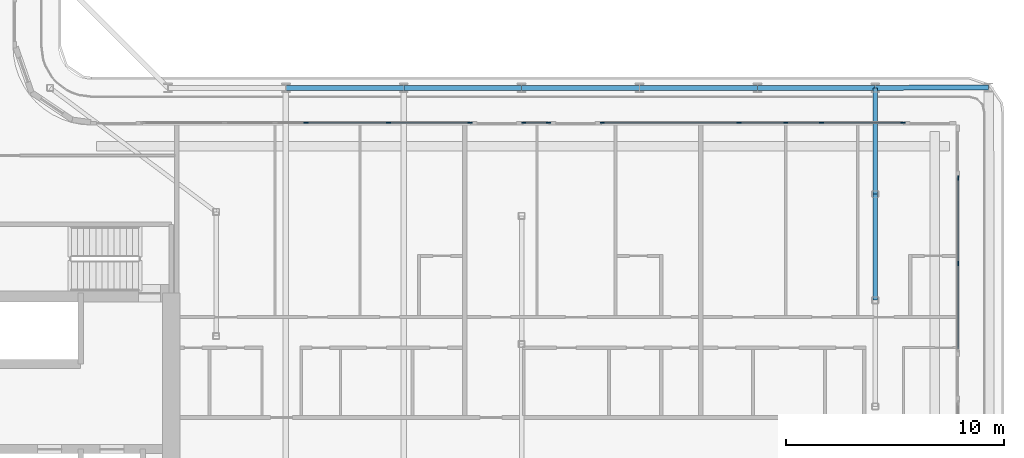
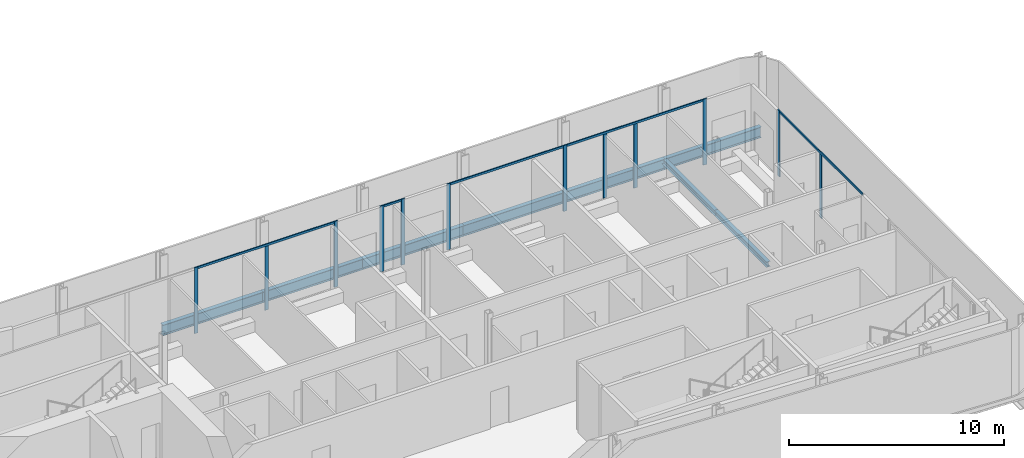
# One storey, part 6 of 24: 17 members, 8 beams, 6 elements without a shape of their own.
"""IFC4 building model written with IfcOpenShell, lengths in metres."""

from ifc_helpers import new_model, si_unit, direction, frame, origin, origin_2d, place, context, subcontext, project, spatial, rectangle, i_section, extrude, material, layer, layer_set, material_profile, profile_set, type_object, element, aggregate, save


model = new_model("IFC4")

# Units and contexts
model_context = context("Model", 3, precision=1e-05, world=origin(), true_north=direction((0.0, 1.0)))
body_context = subcontext(model_context, "Body", "Model", "MODEL_VIEW")
ifc_project = project(units=[si_unit("LENGTHUNIT", "METRE"), si_unit("AREAUNIT", "SQUARE_METRE"), si_unit("VOLUMEUNIT", "CUBIC_METRE"), si_unit("PLANEANGLEUNIT", "RADIAN"), si_unit("MASSUNIT", "GRAM", prefix="KILO")], contexts=[model_context])

# Site, building, storey
site_placement = place(None, origin())
site = spatial("IfcSite", under=ifc_project, at=site_placement, CompositionType="ELEMENT")
building_placement = place(site_placement, origin())
building = spatial("IfcBuilding", under=site, at=building_placement, Name="Kheshtan School and Residences Tower", CompositionType="ELEMENT")
storey_placement = place(building_placement, frame((0.0, 0.0, 160.39990234375)))
storey = spatial("IfcBuildingStorey", under=building, at=storey_placement, Name="L37", CompositionType="ELEMENT", Elevation=160.39990234375)

# Beams
ifc_material_1 = material(Name="Steel ASTM A992 Grade 50", Category="steel")
ifc_material_profile_1 = material_profile(ifc_material_1, i_section(OverallWidth=0.202880859375, OverallDepth=0.302978515625, WebThickness=0.007568359375, FlangeThickness=0.01318359375, FilletRadius=0.009033203125, at=origin_2d()), Name="W310x60")
ifc_profile_set_1 = profile_set([ifc_material_profile_1], Name="Steel ASTM A992 Grade 50")
beam_type_1 = type_object("IfcBeamType", Name="Beam FB1 W310x60 ASTM A992 Grade 50", PredefinedType="BEAM", material=ifc_profile_set_1)
for number, where, z_axis, x_axis, name in (
    (1, (85.39990234375, 45.60009765625, -0.301513671875), (0.0, -1.0, 0.0), (1.0, 0.0, 0.0), "Floor beam C067"),
    (2, (85.39990234375, 40.735107421875, -0.301513671875), (0.0, -1.0, 0.0), (1.0, 0.0, 0.0), "Floor beam IC"),
):
    element("IfcBeam", number, at=place(storey_placement, frame(where, z_axis=z_axis, x_axis=x_axis)), inside=storey, type_object=beam_type_1, Name=name, PredefinedType="BEAM", context=body_context, shape_type="SweptSolid", body=[
        extrude(i_section(OverallWidth=0.202880859375, OverallDepth=0.302978515625, WebThickness=0.007568359375, FlangeThickness=0.01318359375, FilletRadius=0.009033203125, at=origin_2d()), origin(), (0.0, 0.0, 1.0), 4.864990234375),
    ])
ifc_material_profile_2 = material_profile(ifc_material_1, i_section(OverallWidth=0.22802734375, OverallDepth=0.60302734375, WebThickness=0.010498046875, FlangeThickness=0.014892578125, FilletRadius=0.013427734375, at=origin_2d()), Name="W610x101")
ifc_profile_set_2 = profile_set([ifc_material_profile_2], Name="Steel ASTM A992 Grade 50")
beam_type_2 = type_object("IfcBeamType", Name="Beam SP2 W610x101 ASTM A992 Grade 50", PredefinedType="BEAM", material=ifc_profile_set_2)
beam_1_placement = place(storey_placement, frame((58.39990234375, 45.60009765625, -0.451416015625), z_axis=(1.0, 0.0, 0.0), x_axis=(0.0, 1.0, 0.0)))
element("IfcBeam", 3, at=beam_1_placement, inside=storey, type_object=beam_type_2, Name="Spandrel beam C062-C063", PredefinedType="BEAM", context=body_context, shape_type="SweptSolid", body=[
    extrude(i_section(OverallWidth=0.22802734375, OverallDepth=0.60302734375, WebThickness=0.010498046875, FlangeThickness=0.014892578125, FilletRadius=0.013427734375, at=origin_2d()), origin(), (0.0, 0.0, 1.0), 5.400146484375),
])
beam_2_placement = place(storey_placement, frame((63.800048828125, 45.60009765625, -0.451416015625), z_axis=(1.0, 0.0, 0.0), x_axis=(0.0, 1.0, 0.0)))
element("IfcBeam", 4, at=beam_2_placement, inside=storey, type_object=beam_type_2, Name="Spandrel beam C063-C064", PredefinedType="BEAM", context=body_context, shape_type="SweptSolid", body=[
    extrude(i_section(OverallWidth=0.22802734375, OverallDepth=0.60302734375, WebThickness=0.010498046875, FlangeThickness=0.014892578125, FilletRadius=0.013427734375, at=origin_2d()), origin(), (0.0, 0.0, 1.0), 5.39990234375),
])
beam_3_placement = place(storey_placement, frame((69.199951171875, 45.60009765625, -0.451416015625), z_axis=(1.0, 0.0, 0.0), x_axis=(0.0, 1.0, 0.0)))
element("IfcBeam", 5, at=beam_3_placement, inside=storey, type_object=beam_type_2, Name="Spandrel beam C064-C065", PredefinedType="BEAM", context=body_context, shape_type="SweptSolid", body=[
    extrude(i_section(OverallWidth=0.22802734375, OverallDepth=0.60302734375, WebThickness=0.010498046875, FlangeThickness=0.014892578125, FilletRadius=0.013427734375, at=origin_2d()), origin(), (0.0, 0.0, 1.0), 5.400146484375),
])
for number, where, z_axis, x_axis, name in (
    (6, (74.60009765625, 45.60009765625, -0.451416015625), (1.0, 0.0, 0.0), (0.0, 1.0, 0.0), "Spandrel beam C065-C066"),
    (7, (80.0, 45.60009765625, -0.451416015625), (1.0, 0.0, 0.0), (0.0, 1.0, 0.0), "Spandrel beam C066-C067"),
):
    element("IfcBeam", number, at=place(storey_placement, frame(where, z_axis=z_axis, x_axis=x_axis)), inside=storey, type_object=beam_type_2, Name=name, PredefinedType="BEAM", context=body_context, shape_type="SweptSolid", body=[
        extrude(i_section(OverallWidth=0.22802734375, OverallDepth=0.60302734375, WebThickness=0.010498046875, FlangeThickness=0.014892578125, FilletRadius=0.013427734375, at=origin_2d()), origin(), (0.0, 0.0, 1.0), 5.39990234375),
    ])
beam_4_placement = place(storey_placement, frame((85.39990234375, 45.60009765625, -0.451416015625), z_axis=(0.99999185222, 0.00403676771, 0.0), x_axis=(-0.00403676771, 0.99999185222, 0.0)))
element("IfcBeam", 8, at=beam_4_placement, inside=storey, type_object=beam_type_2, Name="Spandrel beam C067-C075", PredefinedType="BEAM", context=body_context, shape_type="SweptSolid", body=[
    extrude(i_section(OverallWidth=0.22802734375, OverallDepth=0.60302734375, WebThickness=0.010498046875, FlangeThickness=0.014892578125, FilletRadius=0.013427734375, at=origin_2d()), origin(), (0.0, 0.0, 1.0), 5.201171875),
])

# Curtain wall, member
ifc_material_2 = material(Name="Clear low-e glass in thermally broken aluminium frame", Category="aluminium")
ifc_layer = layer(ifc_material_2, 0.199951171875)
ifc_layer_set = layer_set([ifc_layer], Name="Curtain wall CW-L")
curtain_wall_type = type_object("IfcCurtainWallType", Name="Curtain wall CW-L", PredefinedType="NOTDEFINED", material=ifc_layer_set)
curtain_wall_1_placement = place(storey_placement, origin())
curtain_wall_1 = element("IfcCurtainWall", 9, at=curtain_wall_1_placement, inside=storey, type_object=curtain_wall_type, Name="Curtain wall CWL12", PredefinedType="NOTDEFINED")
ifc_material_3 = material(Name="Thermally broken aluminium, dark bronze anodised", Category="aluminium")
ifc_material_profile_3 = material_profile(ifc_material_3, rectangle(XDim=0.06005859375, YDim=0.199951171875, at=origin_2d()), Name="CW-L mullion 60x200")
ifc_profile_set_3 = profile_set([ifc_material_profile_3], Name="Thermally broken aluminium, dark bronze anodised")
member_type_1 = type_object("IfcMemberType", Name="CW-L mullion 60x200", PredefinedType="MULLION", material=ifc_profile_set_3)
member_1_placement = place(storey_placement, frame((59.3173828125, 44.0, 0.0), z_axis=(0.0, 0.0, 1.0), x_axis=(0.0, 1.0, 0.0)))
member_1 = element("IfcMember", 10, at=member_1_placement, type_object=member_type_1, Name="CWL12 mullion 4", PredefinedType="MULLION", context=body_context, shape_type="SweptSolid", body=[
    extrude(rectangle(XDim=0.06005859375, YDim=0.199951171875, at=origin_2d()), origin(), (0.0, 0.0, 1.0), 3.75),
])
aggregate(curtain_wall_1, [member_1])

# Curtain wall, members
curtain_wall_2_placement = place(storey_placement, origin())
curtain_wall_2 = element("IfcCurtainWall", 11, at=curtain_wall_2_placement, inside=storey, type_object=curtain_wall_type, Name="Curtain wall CWL12a", PredefinedType="NOTDEFINED")
member_2_placement = place(storey_placement, frame((63.106201171875, 44.0, 0.0), z_axis=(0.0, 0.0, 1.0), x_axis=(0.0, 1.0, 0.0)))
member_2 = element("IfcMember", 12, at=member_2_placement, type_object=member_type_1, Name="CWL12a mullion 2", PredefinedType="MULLION", context=body_context, shape_type="SweptSolid", body=[
    extrude(rectangle(XDim=0.06005859375, YDim=0.199951171875, at=origin_2d()), origin(), (0.0, 0.0, 1.0), 3.630126953125),
])
member_3_placement = place(storey_placement, frame((66.8349609375, 44.0, 0.0), z_axis=(0.0, 0.0, 1.0), x_axis=(0.0, 1.0, 0.0)))
member_3 = element("IfcMember", 13, at=member_3_placement, type_object=member_type_1, Name="CWL12a mullion 3", PredefinedType="MULLION", context=body_context, shape_type="SweptSolid", body=[
    extrude(rectangle(XDim=0.06005859375, YDim=0.199951171875, at=origin_2d()), origin(), (0.0, 0.0, 1.0), 3.75),
])

curtain_wall_3_placement = place(storey_placement, origin())
curtain_wall_3 = element("IfcCurtainWall", 14, at=curtain_wall_3_placement, inside=storey, type_object=curtain_wall_type, Name="Curtain wall CWL12b", PredefinedType="NOTDEFINED")
member_4_placement = place(storey_placement, frame((69.294921875, 44.0, 0.0), z_axis=(0.0, 0.0, 1.0), x_axis=(0.0, 1.0, 0.0)))
member_4 = element("IfcMember", 15, at=member_4_placement, type_object=member_type_1, Name="CWL12b mullion 1", PredefinedType="MULLION", context=body_context, shape_type="SweptSolid", body=[
    extrude(rectangle(XDim=0.06005859375, YDim=0.199951171875, at=origin_2d()), origin(), (0.0, 0.0, 1.0), 3.75),
])
member_5_placement = place(storey_placement, frame((70.43505859375, 44.0, 0.0), z_axis=(0.0, 0.0, 1.0), x_axis=(0.0, 1.0, 0.0)))
member_5 = element("IfcMember", 16, at=member_5_placement, type_object=member_type_1, Name="CWL12b mullion 2", PredefinedType="MULLION", context=body_context, shape_type="SweptSolid", body=[
    extrude(rectangle(XDim=0.06005859375, YDim=0.199951171875, at=origin_2d()), origin(), (0.0, 0.0, 1.0), 3.75),
])

curtain_wall_4_placement = place(storey_placement, origin())
curtain_wall_4 = element("IfcCurtainWall", 17, at=curtain_wall_4_placement, inside=storey, type_object=curtain_wall_type, Name="Curtain wall CWL12u", PredefinedType="NOTDEFINED")
member_6_placement = place(storey_placement, frame((72.89501953125, 44.0, 0.0), z_axis=(0.0, 0.0, 1.0), x_axis=(0.0, 1.0, 0.0)))
member_6 = element("IfcMember", 18, at=member_6_placement, type_object=member_type_1, Name="CWL12u mullion 1", PredefinedType="MULLION", context=body_context, shape_type="SweptSolid", body=[
    extrude(rectangle(XDim=0.06005859375, YDim=0.199951171875, at=origin_2d()), origin(), (0.0, 0.0, 1.0), 3.75),
])
member_7_placement = place(storey_placement, frame((79.152587890625, 44.0, 0.0), z_axis=(0.0, 0.0, 1.0), x_axis=(0.0, 1.0, 0.0)))
member_7 = element("IfcMember", 19, at=member_7_placement, type_object=member_type_1, Name="CWL12u mullion 2", PredefinedType="MULLION", context=body_context, shape_type="SweptSolid", body=[
    extrude(rectangle(XDim=0.06005859375, YDim=0.199951171875, at=origin_2d()), origin(), (0.0, 0.0, 1.0), 3.75),
])

curtain_wall_5_placement = place(storey_placement, origin())
curtain_wall_5 = element("IfcCurtainWall", 20, at=curtain_wall_5_placement, inside=storey, type_object=curtain_wall_type, Name="Curtain wall CWL12", PredefinedType="NOTDEFINED")
member_8_placement = place(storey_placement, frame((81.300048828125, 44.0, 0.0), z_axis=(0.0, 0.0, 1.0), x_axis=(0.0, 1.0, 0.0)))
member_8 = element("IfcMember", 21, at=member_8_placement, type_object=member_type_1, Name="CWL12 mullion 2", PredefinedType="MULLION", context=body_context, shape_type="SweptSolid", body=[
    extrude(rectangle(XDim=0.06005859375, YDim=0.199951171875, at=origin_2d()), origin(), (0.0, 0.0, 1.0), 3.630126953125),
])
member_9_placement = place(storey_placement, frame((82.941162109375, 44.0, 0.0), z_axis=(0.0, 0.0, 1.0), x_axis=(0.0, 1.0, 0.0)))
member_9 = element("IfcMember", 22, at=member_9_placement, type_object=member_type_1, Name="CWL12 mullion 3", PredefinedType="MULLION", context=body_context, shape_type="SweptSolid", body=[
    extrude(rectangle(XDim=0.06005859375, YDim=0.199951171875, at=origin_2d()), origin(), (0.0, 0.0, 1.0), 3.630126953125),
])
member_10_placement = place(storey_placement, frame((86.669921875, 44.0, 0.0), z_axis=(0.0, 0.0, 1.0), x_axis=(0.0, 1.0, 0.0)))
member_10 = element("IfcMember", 23, at=member_10_placement, type_object=member_type_1, Name="CWL12 mullion 4", PredefinedType="MULLION", context=body_context, shape_type="SweptSolid", body=[
    extrude(rectangle(XDim=0.06005859375, YDim=0.199951171875, at=origin_2d()), origin(), (0.0, 0.0, 1.0), 3.75),
])

curtain_wall_6_placement = place(storey_placement, origin())
curtain_wall_6 = element("IfcCurtainWall", 24, at=curtain_wall_6_placement, inside=storey, type_object=curtain_wall_type, Name="Curtain wall CWL13", PredefinedType="NOTDEFINED")
member_11_placement = place(storey_placement, frame((89.199951171875, 41.469970703125, 0.0), z_axis=(0.0, 0.0, 1.0), x_axis=(1.0, 0.0, 0.0)))
member_11 = element("IfcMember", 25, at=member_11_placement, type_object=member_type_1, Name="CWL13 mullion 1", PredefinedType="MULLION", context=body_context, shape_type="SweptSolid", body=[
    extrude(rectangle(XDim=0.06005859375, YDim=0.199951171875, at=origin_2d()), origin(), (0.0, 0.0, 1.0), 3.75),
])
member_12_placement = place(storey_placement, frame((89.199951171875, 37.545654296875, 0.0), z_axis=(0.0, 0.0, 1.0), x_axis=(1.0, 0.0, 0.0)))
member_12 = element("IfcMember", 26, at=member_12_placement, type_object=member_type_1, Name="CWL13 mullion 2", PredefinedType="MULLION", context=body_context, shape_type="SweptSolid", body=[
    extrude(rectangle(XDim=0.06005859375, YDim=0.199951171875, at=origin_2d()), origin(), (0.0, 0.0, 1.0), 3.630126953125),
])

# Member
ifc_material_profile_4 = material_profile(ifc_material_3, rectangle(XDim=0.06005859375, YDim=0.1201171875, at=origin_2d()), Name="CW-L transom 60x120")
ifc_profile_set_4 = profile_set([ifc_material_profile_4], Name="Thermally broken aluminium, dark bronze anodised")
member_type_2 = type_object("IfcMemberType", Name="CW-L transom 60x120", PredefinedType="USERDEFINED", material=ifc_profile_set_4)
member_13_placement = place(storey_placement, frame((59.347412109375, 44.0, 3.690185546875), z_axis=(1.0, 0.0, 0.0), x_axis=(0.0, 1.0, 0.0)))
member_13 = element("IfcMember", 27, at=member_13_placement, type_object=member_type_2, Name="CWL12a transom 1", ObjectType="TRANSOM", PredefinedType="USERDEFINED", context=body_context, shape_type="SweptSolid", body=[
    extrude(rectangle(XDim=0.06005859375, YDim=0.1201171875, at=origin_2d()), origin(), (0.0, 0.0, 1.0), 7.45751953125),
])

aggregate(curtain_wall_2, [member_2, member_3, member_13])

member_14_placement = place(storey_placement, frame((69.324951171875, 44.0, 3.690185546875), z_axis=(1.0, 0.0, 0.0), x_axis=(0.0, 1.0, 0.0)))
member_14 = element("IfcMember", 28, at=member_14_placement, type_object=member_type_2, Name="CWL12b transom 1", ObjectType="TRANSOM", PredefinedType="USERDEFINED", context=body_context, shape_type="SweptSolid", body=[
    extrude(rectangle(XDim=0.06005859375, YDim=0.1201171875, at=origin_2d()), origin(), (0.0, 0.0, 1.0), 1.080078125),
])

aggregate(curtain_wall_3, [member_4, member_5, member_14])

member_15_placement = place(storey_placement, frame((72.925048828125, 44.0, 3.690185546875), z_axis=(1.0, 0.0, 0.0), x_axis=(0.0, 1.0, 0.0)))
member_15 = element("IfcMember", 29, at=member_15_placement, type_object=member_type_2, Name="CWL12u transom 1", ObjectType="TRANSOM", PredefinedType="USERDEFINED", context=body_context, shape_type="SweptSolid", body=[
    extrude(rectangle(XDim=0.06005859375, YDim=0.1201171875, at=origin_2d()), origin(), (0.0, 0.0, 1.0), 6.197509765625),
])

aggregate(curtain_wall_4, [member_6, member_7, member_15])

member_16_placement = place(storey_placement, frame((79.1826171875, 44.0, 3.690185546875), z_axis=(1.0, 0.0, 0.0), x_axis=(0.0, 1.0, 0.0)))
member_16 = element("IfcMember", 30, at=member_16_placement, type_object=member_type_2, Name="CWL12 transom 1", ObjectType="TRANSOM", PredefinedType="USERDEFINED", context=body_context, shape_type="SweptSolid", body=[
    extrude(rectangle(XDim=0.06005859375, YDim=0.1201171875, at=origin_2d()), origin(), (0.0, 0.0, 1.0), 7.457275390625),
])

aggregate(curtain_wall_5, [member_8, member_9, member_10, member_16])

member_17_placement = place(storey_placement, frame((89.199951171875, 41.43994140625, 3.690185546875), z_axis=(0.0, -1.0, 0.0), x_axis=(1.0, 0.0, 0.0)))
member_17 = element("IfcMember", 31, at=member_17_placement, type_object=member_type_2, Name="CWL13 transom 1", ObjectType="TRANSOM", PredefinedType="USERDEFINED", context=body_context, shape_type="SweptSolid", body=[
    extrude(rectangle(XDim=0.06005859375, YDim=0.1201171875, at=origin_2d()), origin(), (0.0, 0.0, 1.0), 7.788330078125),
])

aggregate(curtain_wall_6, [member_11, member_12, member_17])

save(model, "model.ifc")
